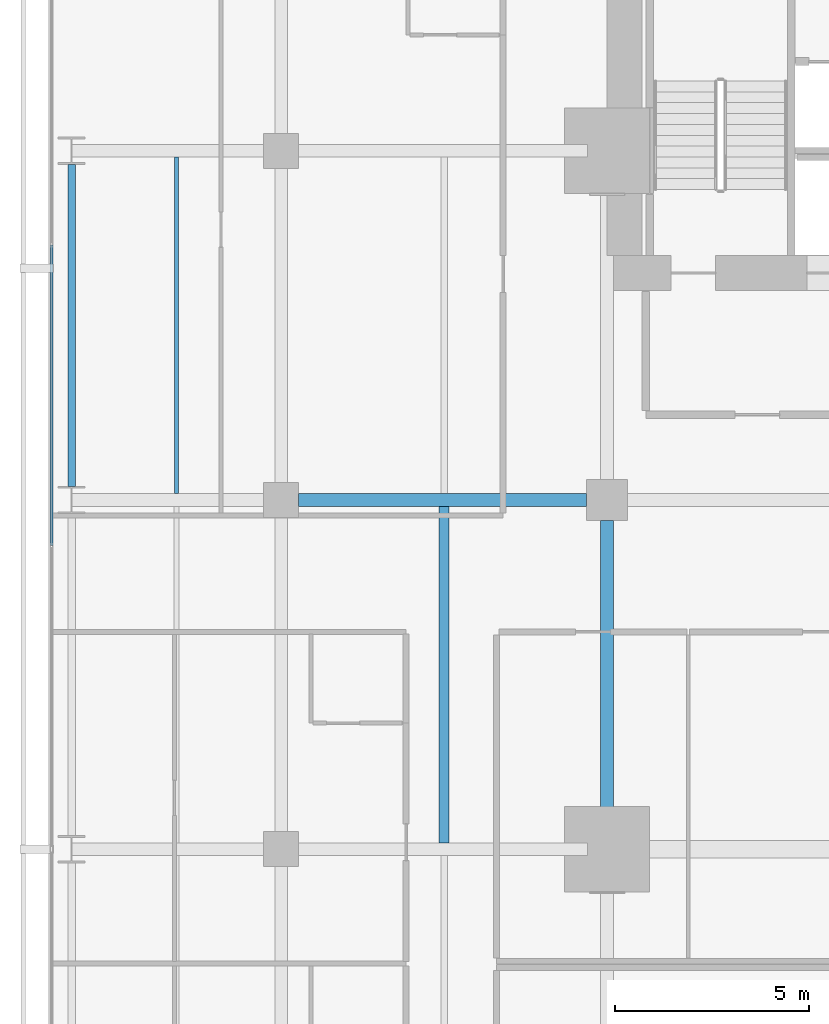
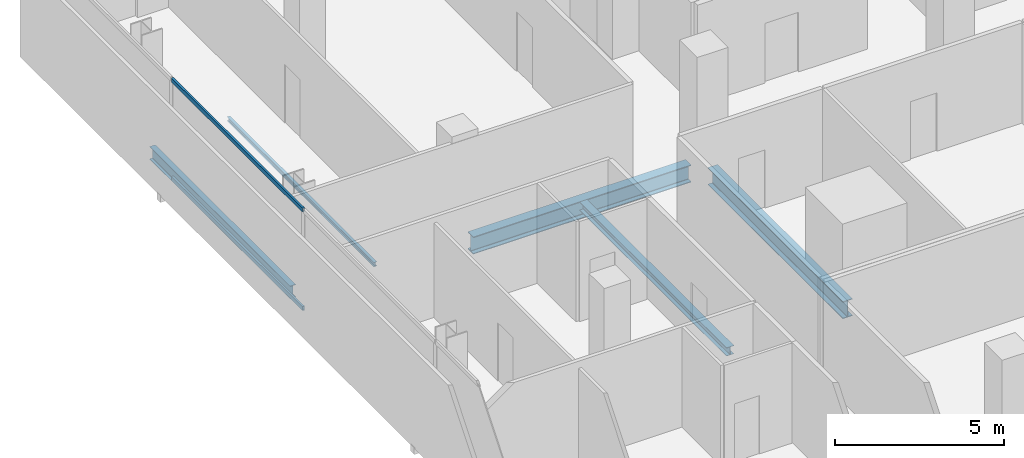
# One storey, part 22 of 39: 5 beams, 2 members, 1 element without a shape of its own.
"""IFC4 building model written with IfcOpenShell, lengths in metres."""

import ifcopenshell
import ifcopenshell.guid

model = None  # the IFC model being written
_history = None  # IfcOwnerHistory: only IFC2X3 demands one
_inside = {}  # id of a spatial element -> (the spatial element, [elements in it])
_under = {}  # id of a project, library or spatial element -> (it, [spatial elements below it])
_declared = {}  # id of a project -> (the project, [libraries it declares])
_typed = {}  # id of a type object -> (the type object, [elements of that type])
_made_of = {}  # id of a material, layer set ... -> (it, [elements and type objects made of it])


def new_model(schema):
    """Start an empty IFC model of exactly this schema.

    Asked for "IFC4X3", IfcOpenShell would pick the latest addendum, in which some entities
    have other attributes; the version numbers below select the first issue.
    IFC2X3 requires an IfcOwnerHistory on every rooted entity: one is made here for all.
    """
    global model, _history
    if schema == "IFC4X3":
        model = ifcopenshell.file(schema_version=(4, 3, 0, 0))
    else:
        model = ifcopenshell.file(schema=schema)
    _inside.clear()
    _under.clear()
    _declared.clear()
    _typed.clear()
    _made_of.clear()
    _history = None
    if model.schema == "IFC2X3":
        org = make("IfcOrganization", Name="unknown")
        user = make(
            "IfcPersonAndOrganization",
            ThePerson=make("IfcPerson", FamilyName="unknown"),
            TheOrganization=org,
        )
        app = make(
            "IfcApplication",
            ApplicationDeveloper=org,
            Version="unknown",
            ApplicationFullName="unknown",
            ApplicationIdentifier="unknown",
        )
        _history = make(
            "IfcOwnerHistory",
            OwningUser=user,
            OwningApplication=app,
            ChangeAction="ADDED",
            CreationDate=0,
        )
    return model


def make(cls, **values):
    """One entity of the class cls with the attributes given. An attribute that is None is left unset."""
    return model.create_entity(
        cls, **{name: value for name, value in values.items() if value is not None}
    )


def rooted(cls, **values):
    """An entity with a GlobalId (a new one), such as an element, a storey or a relation."""
    return make(cls, GlobalId=ifcopenshell.guid.new(), OwnerHistory=_history, **values)


def si_unit(unit_type, name, prefix=None):
    """IfcSIUnit, for example si_unit("LENGTHUNIT", "METRE", prefix="MILLI")."""
    return make("IfcSIUnit", UnitType=unit_type, Prefix=prefix, Name=name)


def assignment(units):
    """IfcUnitAssignment: the units of a project."""
    return None if units is None else make("IfcUnitAssignment", Units=units)


def point(xyz):
    """IfcCartesianPoint."""
    return None if xyz is None else make("IfcCartesianPoint", Coordinates=xyz)


def direction(xyz):
    """IfcDirection."""
    return None if xyz is None else make("IfcDirection", DirectionRatios=xyz)


def frame(location, z_axis=None, x_axis=None):
    """IfcAxis2Placement3D, a coordinate frame: its origin and axes. An axis left out is left unset."""
    return make(
        "IfcAxis2Placement3D",
        Location=point(location),
        Axis=direction(z_axis),
        RefDirection=direction(x_axis),
    )


def frame_2d(location, x_axis=None):
    """IfcAxis2Placement2D, a coordinate frame in the plane: its origin and x axis."""
    return make(
        "IfcAxis2Placement2D", Location=point(location), RefDirection=direction(x_axis)
    )


def origin():
    """The frame at (0, 0, 0) with its axes left unset."""
    return frame((0.0, 0.0, 0.0))


def origin_2d():
    """The frame at (0, 0) in the plane with its x axis left unset."""
    return frame_2d((0.0, 0.0))


def place(relative_to, where):
    """IfcLocalPlacement: puts the frame where relative to a parent placement (None: the world)."""
    return make(
        "IfcLocalPlacement", PlacementRelTo=relative_to, RelativePlacement=where
    )


def context(
    kind, dimensions, precision=None, world=None, true_north=None, identifier=None
):
    """IfcGeometricRepresentationContext, for example the 3D "Model" context."""
    return make(
        "IfcGeometricRepresentationContext",
        ContextIdentifier=identifier,
        ContextType=kind,
        CoordinateSpaceDimension=dimensions,
        Precision=precision,
        WorldCoordinateSystem=world,
        TrueNorth=true_north,
    )


def subcontext(parent, identifier, kind, view, scale=None):
    """IfcGeometricRepresentationSubContext, for example "Body" below "Model"."""
    return make(
        "IfcGeometricRepresentationSubContext",
        ContextIdentifier=identifier,
        ContextType=kind,
        ParentContext=parent,
        TargetScale=scale,
        TargetView=view,
    )


def project(units=None, contexts=None):
    """IfcProject with its units and contexts."""
    return rooted(
        "IfcProject",
        Name="project",
        RepresentationContexts=contexts,
        UnitsInContext=assignment(units),
    )


def spatial(cls, under=None, at=None, **own):
    """A site, building, storey or space (cls), placed at a placement, below another one or the project."""
    s = rooted(cls, ObjectPlacement=at, **own)
    if under is not None:
        _under.setdefault(under.id(), (under, []))[1].append(s)
    return s


def profile(cls, at=None, kind="AREA", **sizes):
    """A parametric profile (cls). Its sizes go by their IFC names, for example OverallWidth=200.0."""
    return make(cls, ProfileType=kind, Position=at, **sizes)


def hollow_rectangle(**sizes):
    """IfcRectangleHollowProfileDef."""
    return profile("IfcRectangleHollowProfileDef", **sizes)


def i_section(**sizes):
    """IfcIShapeProfileDef."""
    return profile("IfcIShapeProfileDef", **sizes)


def extrude(swept, where, along, depth):
    """IfcExtrudedAreaSolid: the profile swept, set in the frame where, extruded along a direction by depth."""
    return make(
        "IfcExtrudedAreaSolid",
        SweptArea=swept,
        Position=where,
        ExtrudedDirection=direction(along),
        Depth=depth,
    )


def shape(context_of_items, identifier, shape_type, items):
    """IfcShapeRepresentation: the items that make up one representation, for example the "Body"."""
    return make(
        "IfcShapeRepresentation",
        ContextOfItems=context_of_items,
        RepresentationIdentifier=identifier,
        RepresentationType=shape_type,
        Items=items,
    )


def material(Name=None, Category=None):
    """IfcMaterial."""
    return make("IfcMaterial", Name=Name, Category=Category)


def layer(
    of_material, thickness, ventilated=None, Name=None, Category=None, Priority=None
):
    """IfcMaterialLayer: one layer of a wall or slab, of a material (None: an air gap)."""
    return make(
        "IfcMaterialLayer",
        Material=of_material,
        LayerThickness=thickness,
        IsVentilated=ventilated,
        Name=Name,
        Category=Category,
        Priority=Priority,
    )


def layer_set(layers, Name=None):
    """IfcMaterialLayerSet."""
    return make("IfcMaterialLayerSet", MaterialLayers=layers, LayerSetName=Name)


def material_profile(
    of_material, cross_section, Name=None, Category=None, Priority=None
):
    """IfcMaterialProfile: a cross section and its material."""
    return make(
        "IfcMaterialProfile",
        Name=Name,
        Material=of_material,
        Profile=cross_section,
        Priority=Priority,
        Category=Category,
    )


def profile_set(profiles, Name=None, composite=None):
    """IfcMaterialProfileSet."""
    return make(
        "IfcMaterialProfileSet",
        Name=Name,
        MaterialProfiles=profiles,
        CompositeProfile=composite,
    )


def made_of(thing, what):
    """Note that an element or type object is made of a material, layer set ...; save() writes the relation."""
    if what is not None:
        _made_of.setdefault(what.id(), (what, []))[1].append(thing)
    return thing


def type_object(cls, material=None, **own):
    """A type object (cls), such as IfcWallType, which elements share."""
    return made_of(rooted(cls, **own), material)


def element(
    cls,
    number,
    at=None,
    inside=None,
    cuts=None,
    type_object=None,
    material=None,
    context=None,
    identifier="Body",
    shape_type=None,
    held_by="IfcProductDefinitionShape",
    body=None,
    shapes=None,
    **own,
):
    """One element of the class cls, such as IfcWall. Its Tag is "e" and its number.

    at: its placement. inside: the storey or other place that contains it. cuts: it is an
    opening in that element (IfcRelVoidsElement). A single representation is given by context,
    identifier, shape_type and body (its items); several are given by shapes. held_by: the class
    of the entity that holds the representations. save() writes the other relations.
    """
    e = rooted(cls, Tag="e%d" % number, ObjectPlacement=at, **own)
    if body is not None:
        shapes = [shape(context, identifier, shape_type, body)]
    if shapes is not None:
        e.Representation = make(held_by, Representations=shapes)
    if inside is not None:
        _inside.setdefault(inside.id(), (inside, []))[1].append(e)
    if cuts is not None:
        rooted(
            "IfcRelVoidsElement", RelatingBuildingElement=cuts, RelatedOpeningElement=e
        )
    if type_object is not None:
        _typed.setdefault(type_object.id(), (type_object, []))[1].append(e)
    return made_of(e, material)


def aggregate(whole, parts):
    """IfcRelAggregates: a whole, such as a stair, and the parts it consists of."""
    return rooted("IfcRelAggregates", RelatingObject=whole, RelatedObjects=parts)


def save(model, path):
    """Write the relations noted so far, then the file.

    IfcRelAggregates (storeys below a building ...), IfcRelContainedInSpatialStructure (elements
    in a storey), IfcRelDefinesByType, IfcRelAssociatesMaterial and IfcRelDeclares: one each for
    every whole, place, type object, material and project.
    """
    for whole, parts in _under.values():
        aggregate(whole, parts)
    for where, things in _inside.values():
        rooted(
            "IfcRelContainedInSpatialStructure",
            RelatedElements=things,
            RelatingStructure=where,
        )
    for kind, things in _typed.values():
        rooted("IfcRelDefinesByType", RelatedObjects=things, RelatingType=kind)
    for what, things in _made_of.values():
        rooted("IfcRelAssociatesMaterial", RelatedObjects=things, RelatingMaterial=what)
    for by, libraries in _declared.values():
        rooted("IfcRelDeclares", RelatingContext=by, RelatedDefinitions=libraries)
    model.write(path)


model = new_model("IFC4")

# Units and contexts
model_context = context("Model", 3, precision=1e-05, world=origin(), true_north=direction((0.0, 1.0)))
body_context = subcontext(model_context, "Body", "Model", "MODEL_VIEW")
ifc_project = project(units=[si_unit("LENGTHUNIT", "METRE"), si_unit("AREAUNIT", "SQUARE_METRE"), si_unit("VOLUMEUNIT", "CUBIC_METRE"), si_unit("PLANEANGLEUNIT", "RADIAN"), si_unit("MASSUNIT", "GRAM", prefix="KILO")], contexts=[model_context])

# Site, building, storey
site_placement = place(None, origin())
site = spatial("IfcSite", under=ifc_project, at=site_placement, CompositionType="ELEMENT")
building_placement = place(site_placement, origin())
building = spatial("IfcBuilding", under=site, at=building_placement, Name="Maruvema Waterfront Hotel and Observation Tower", CompositionType="ELEMENT")
storey_placement = place(building_placement, frame((0.0, 0.0, 65.449951171875)))
storey = spatial("IfcBuildingStorey", under=building, at=storey_placement, Name="L15", CompositionType="ELEMENT", Elevation=65.449951171875)

# Curtain wall, members
ifc_material_1 = material(Name="Anodised bronze aluminium and solar-control low-E IGU", Category="aluminium")
ifc_layer = layer(ifc_material_1, 0.159912109375, Name="Zone 1 Bronze Inner Thermal Curtain Wall System CW-02")
ifc_layer_set = layer_set([ifc_layer], Name="Anodised bronze aluminium and solar-control low-E IGU")
curtain_wall_type = type_object("IfcCurtainWallType", Name="Zone 1 Bronze Inner Thermal Curtain Wall System CW-02", PredefinedType="USERDEFINED", material=ifc_layer_set)
curtain_wall_placement = place(storey_placement, origin())
curtain_wall = element("IfcCurtainWall", 1, at=curtain_wall_placement, inside=storey, type_object=curtain_wall_type, Name="L15 Curtain Wall CW-L15-W", ObjectType="UNITISED CURTAIN WALL", PredefinedType="USERDEFINED")
ifc_material_2 = material(Name="Anodised architectural bronze aluminium", Category="aluminium")
ifc_material_profile_1 = material_profile(ifc_material_2, hollow_rectangle(XDim=0.070068359375, YDim=0.14990234375, WallThickness=0.00390625, at=origin_2d()), Name="ALU-T70x150")
ifc_profile_set_1 = profile_set([ifc_material_profile_1], Name="Anodised architectural bronze aluminium")
member_type = type_object("IfcMemberType", Name="Curtain Wall Horizontal Transom ALU-T70x150", PredefinedType="USERDEFINED", material=ifc_profile_set_1)
member_1_placement = place(storey_placement, frame((10.8798828125, 42.570068359375, 0.030029296875), z_axis=(0.0, -1.0, 0.0), x_axis=(1.0, 0.0, 0.0)))
member_1 = element("IfcMember", 2, at=member_1_placement, type_object=member_type, Name="CW-02 transom 2.1", ObjectType="TRANSOM", PredefinedType="USERDEFINED", context=body_context, shape_type="SweptSolid", body=[
    extrude(hollow_rectangle(XDim=0.070068359375, YDim=0.14990234375, WallThickness=0.00390625, at=origin_2d()), origin(), (0.0, 0.0, 1.0), 7.739990234375),
])
member_2_placement = place(storey_placement, frame((10.8798828125, 42.570068359375, 3.580078125), z_axis=(0.0, -1.0, 0.0), x_axis=(1.0, 0.0, 0.0)))
member_2 = element("IfcMember", 3, at=member_2_placement, type_object=member_type, Name="CW-02 transom 2.2", ObjectType="TRANSOM", PredefinedType="USERDEFINED", context=body_context, shape_type="SweptSolid", body=[
    extrude(hollow_rectangle(XDim=0.070068359375, YDim=0.14990234375, WallThickness=0.00390625, at=origin_2d()), origin(), (0.0, 0.0, 1.0), 7.739990234375),
])
aggregate(curtain_wall, [member_1, member_2])

# Beams
ifc_material_3 = material(Name="Steel ASTM A572 Grade 50", Category="steel")
ifc_material_profile_2 = material_profile(ifc_material_3, i_section(OverallWidth=0.18994140625, OverallDepth=0.45703125, WebThickness=0.009033203125, FlangeThickness=0.014404296875, FilletRadius=0.014892578125, at=origin_2d()), Name="W460x74.0")
ifc_profile_set_2 = profile_set([ifc_material_profile_2], Name="Steel ASTM A572 Grade 50")
beam_type_1 = type_object("IfcBeamType", Name="Perimeter Spandrel Beam W460x74.0", PredefinedType="SPANDREL", material=ifc_profile_set_2)
beam_1_placement = place(storey_placement, frame((11.39990234375, 36.35009765625, -0.468505859375), z_axis=(0.0, 1.0, 0.0), x_axis=(-1.0, 0.0, 0.0)))
element("IfcBeam", 4, at=beam_1_placement, inside=storey, type_object=beam_type_1, Name="L15 Floor Girder NS-04", PredefinedType="SPANDREL", context=body_context, shape_type="SweptSolid", body=[
    extrude(i_section(OverallWidth=0.18994140625, OverallDepth=0.45703125, WebThickness=0.009033203125, FlangeThickness=0.014404296875, FilletRadius=0.014892578125, at=origin_2d()), origin(), (0.0, 0.0, 1.0), 8.2998046875),
])
ifc_material_4 = material(Name="Steel ASTM A572 Grade 50", Category="steel")
ifc_material_profile_3 = material_profile(ifc_material_4, i_section(OverallWidth=0.326904296875, OverallDepth=0.6220703125, WebThickness=0.015380859375, FlangeThickness=0.0244140625, FilletRadius=0.01806640625, at=origin_2d()), Name="W610x195.0")
ifc_profile_set_3 = profile_set([ifc_material_profile_3], Name="Steel ASTM A572 Grade 50")
beam_type_2 = type_object("IfcBeamType", Name="Primary Floor Girder W610x195.0", PredefinedType="BEAM", material=ifc_profile_set_3)
beam_2_placement = place(storey_placement, frame((17.25, 36.0, -0.551025390625), z_axis=(1.0, 0.0, 0.0), x_axis=(0.0, 1.0, 0.0)))
element("IfcBeam", 5, at=beam_2_placement, inside=storey, type_object=beam_type_2, Name="L15 Floor Girder EW-26", PredefinedType="BEAM", context=body_context, shape_type="SweptSolid", body=[
    extrude(i_section(OverallWidth=0.326904296875, OverallDepth=0.6220703125, WebThickness=0.015380859375, FlangeThickness=0.0244140625, FilletRadius=0.01806640625, at=origin_2d()), origin(), (0.0, 0.0, 1.0), 7.425048828125),
])
beam_3_placement = place(storey_placement, frame((25.199951171875, 27.5, -0.551025390625), z_axis=(0.0, 1.0, 0.0), x_axis=(-1.0, 0.0, 0.0)))
element("IfcBeam", 6, at=beam_3_placement, inside=storey, type_object=beam_type_2, Name="L15 Floor Girder NS-14", PredefinedType="BEAM", context=body_context, shape_type="SweptSolid", body=[
    extrude(i_section(OverallWidth=0.326904296875, OverallDepth=0.6220703125, WebThickness=0.015380859375, FlangeThickness=0.0244140625, FilletRadius=0.01806640625, at=origin_2d()), origin(), (0.0, 0.0, 1.0), 7.97509765625),
])
ifc_material_5 = material(Name="Steel ASTM A572 Grade 50", Category="steel")
ifc_material_profile_4 = material_profile(ifc_material_5, i_section(OverallWidth=0.10009765625, OverallDepth=0.153076171875, WebThickness=0.005859375, FlangeThickness=0.007080078125, FilletRadius=0.008056640625, at=origin_2d()), Name="W150x18.0")
ifc_profile_set_4 = profile_set([ifc_material_profile_4], Name="Steel ASTM A572 Grade 50")
beam_type_3 = type_object("IfcBeamType", Name="Secondary Floor Joist W150x18.0", PredefinedType="JOIST", material=ifc_profile_set_4)
beam_4_placement = place(storey_placement, frame((14.10009765625, 36.16357421875, -0.31640625), z_axis=(0.0, 1.0, 0.0), x_axis=(-1.0, 0.0, 0.0)))
element("IfcBeam", 7, at=beam_4_placement, inside=storey, type_object=beam_type_3, Name="L15 Secondary Floor Joist JS-04", PredefinedType="JOIST", context=body_context, shape_type="SweptSolid", body=[
    extrude(i_section(OverallWidth=0.10009765625, OverallDepth=0.153076171875, WebThickness=0.005859375, FlangeThickness=0.007080078125, FilletRadius=0.008056640625, at=origin_2d()), origin(), (0.0, 0.0, 1.0), 8.6728515625),
])
ifc_material_6 = material(Name="Steel ASTM A572 Grade 50", Category="steel")
ifc_material_profile_5 = material_profile(ifc_material_6, i_section(OverallWidth=0.25390625, OverallDepth=0.305908203125, WebThickness=0.0087890625, FlangeThickness=0.0146484375, FilletRadius=0.014892578125, at=origin_2d()), Name="W310x79.0")
ifc_profile_set_5 = profile_set([ifc_material_profile_5], Name="Steel ASTM A572 Grade 50")
beam_type_4 = type_object("IfcBeamType", Name="Secondary Floor Joist W310x79.0", PredefinedType="JOIST", material=ifc_profile_set_5)
beam_5_placement = place(storey_placement, frame((21.0, 27.16357421875, -0.39306640625), z_axis=(0.0, 1.0, 0.0), x_axis=(-1.0, 0.0, 0.0)))
element("IfcBeam", 8, at=beam_5_placement, inside=storey, type_object=beam_type_4, Name="L15 Secondary Floor Joist JS-08", PredefinedType="JOIST", context=body_context, shape_type="SweptSolid", body=[
    extrude(i_section(OverallWidth=0.25390625, OverallDepth=0.305908203125, WebThickness=0.0087890625, FlangeThickness=0.0146484375, FilletRadius=0.014892578125, at=origin_2d()), origin(), (0.0, 0.0, 1.0), 8.6728515625),
])

save(model, "model.ifc")
